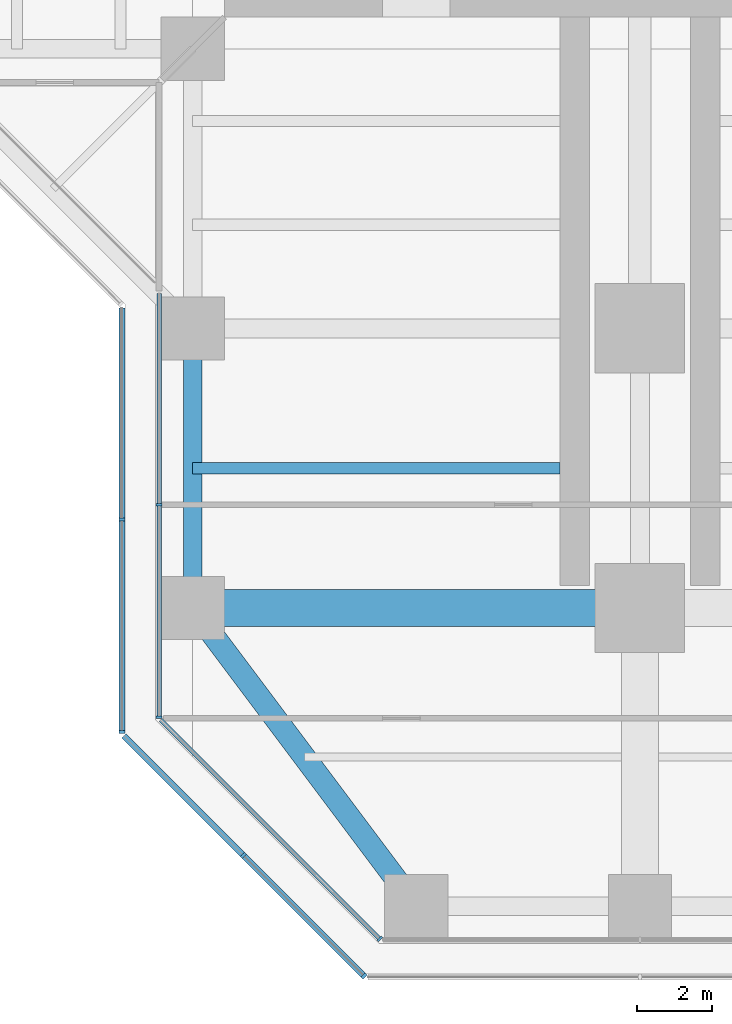
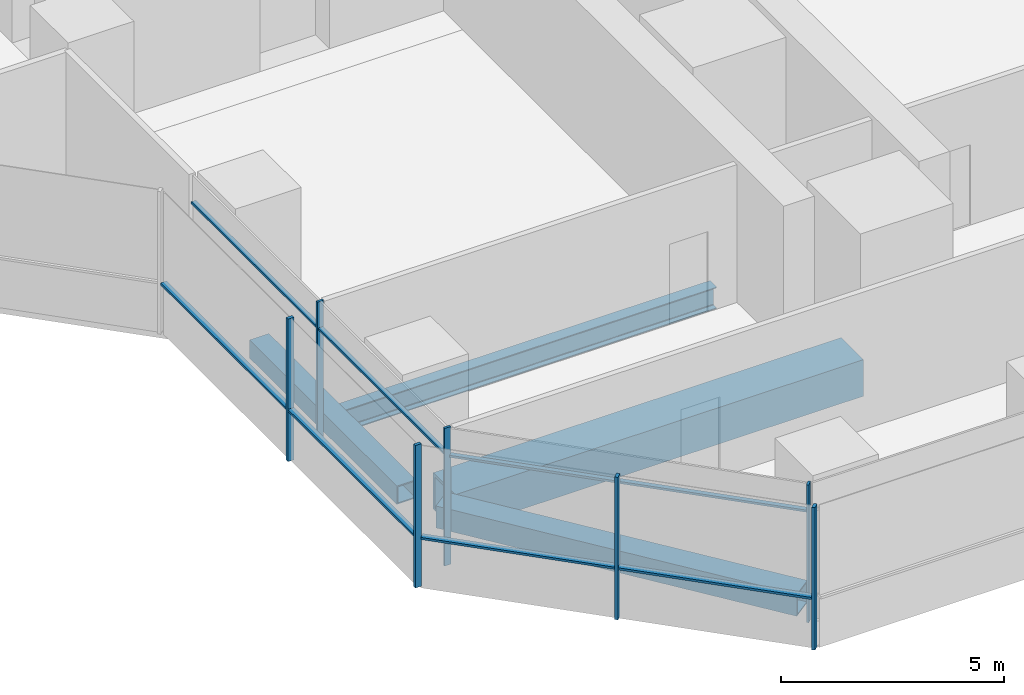
# One storey, part 2 of 22: 14 members, 4 beams, 4 elements without a shape of their own.
"""IFC4 building model written with IfcOpenShell, lengths in metres."""

from ifc_helpers import new_model, si_unit, direction, frame, origin, origin_2d, place, context, subcontext, project, spatial, rectangle, hollow_rectangle, i_section, extrude, material, material_profile, profile_set, type_object, element, aggregate, save


model = new_model("IFC4")

# Units and contexts
model_context = context("Model", 3, precision=1e-05, world=origin(), true_north=direction((0.0, 1.0)))
body_context = subcontext(model_context, "Body", "Model", "MODEL_VIEW")
ifc_project = project(units=[si_unit("LENGTHUNIT", "METRE"), si_unit("AREAUNIT", "SQUARE_METRE"), si_unit("VOLUMEUNIT", "CUBIC_METRE"), si_unit("PLANEANGLEUNIT", "RADIAN"), si_unit("MASSUNIT", "GRAM", prefix="KILO")], contexts=[model_context])

# Site, building, storey
site_placement = place(None, origin())
site = spatial("IfcSite", under=ifc_project, at=site_placement, CompositionType="ELEMENT")
building_placement = place(site_placement, origin())
building = spatial("IfcBuilding", under=site, at=building_placement, Name="Mizan Broadcast Tower", CompositionType="ELEMENT")
storey_placement = place(building_placement, frame((0.0, 0.0, 63.0)))
storey = spatial("IfcBuildingStorey", under=building, at=storey_placement, Name="L12", CompositionType="ELEMENT", Elevation=63.0)

# Beams
ifc_material_1 = material(Name="Steel S355", Category="steel")
ifc_material_profile_1 = material_profile(ifc_material_1, hollow_rectangle(XDim=0.5, YDim=0.5, WallThickness=0.030029296875, at=origin_2d()), Name="BOX 500x500x30")
ifc_profile_set_1 = profile_set([ifc_material_profile_1], Name="Steel S355")
beam_type_1 = type_object("IfcBeamType", Name="EDGE BEAM BOX 500x500x30", PredefinedType="SPANDREL", material=ifc_profile_set_1)
beam_1_placement = place(storey_placement, frame((-12.0, -19.949951171875, -0.3798828125), z_axis=(0.0, -1.0, 0.0), x_axis=(1.0, 0.0, 0.0)))
element("IfcBeam", 1, at=beam_1_placement, inside=storey, type_object=beam_type_1, Name="Edge beam BOX 500x500x30 L12 south arm", PredefinedType="SPANDREL", context=body_context, shape_type="SweptSolid", body=[
    extrude(hollow_rectangle(XDim=0.5, YDim=0.5, WallThickness=0.030029296875, at=origin_2d()), origin(), (0.0, 0.0, 1.0), 6.60009765625),
])
ifc_material_2 = material(Name="Steel S355", Category="steel")
ifc_material_profile_2 = material_profile(ifc_material_2, hollow_rectangle(XDim=0.60009765625, YDim=0.60009765625, WallThickness=0.030029296875, at=origin_2d()), Name="BOX 600x600x30")
ifc_profile_set_2 = profile_set([ifc_material_profile_2], Name="Steel S355")
beam_type_2 = type_object("IfcBeamType", Name="EDGE BEAM BOX 600x600x30", PredefinedType="SPANDREL", material=ifc_profile_set_2)
beam_2_placement = place(storey_placement, frame((-11.639892578125, -27.47998046875, -0.429931640625), z_axis=(0.599982243973, -0.800013316712, 0.0), x_axis=(0.800013316712, 0.599982243973, 0.0)))
element("IfcBeam", 2, at=beam_2_placement, inside=storey, type_object=beam_type_2, Name="Edge beam BOX 600x600x30 L12 south arm", PredefinedType="SPANDREL", context=body_context, shape_type="SweptSolid", body=[
    extrude(hollow_rectangle(XDim=0.60009765625, YDim=0.60009765625, WallThickness=0.030029296875, at=origin_2d()), origin(), (0.0, 0.0, 1.0), 8.7998046875),
])
ifc_material_3 = material(Name="Steel S460", Category="steel")
ifc_material_profile_3 = material_profile(ifc_material_3, hollow_rectangle(XDim=1.0, YDim=1.0, WallThickness=0.080078125, at=origin_2d()), Name="BOX 1000x1000x80")
ifc_profile_set_3 = profile_set([ifc_material_profile_3], Name="Steel S460")
beam_type_3 = type_object("IfcBeamType", Name="GIRDER BOX 1000x1000x80", PredefinedType="BEAM", material=ifc_profile_set_3)
beam_3_placement = place(storey_placement, frame((-11.280029296875, -27.0, -0.6298828125), z_axis=(1.0, 0.0, 0.0), x_axis=(0.0, 1.0, 0.0)))
element("IfcBeam", 3, at=beam_3_placement, inside=storey, type_object=beam_type_3, Name="Girder BOX 1000x1000x80 L12 south arm", PredefinedType="BEAM", context=body_context, shape_type="SweptSolid", body=[
    extrude(hollow_rectangle(XDim=1.0, YDim=1.0, WallThickness=0.080078125, at=origin_2d()), origin(), (0.0, 0.0, 1.0), 10.56005859375),
])

# Curtain wall, members
ifc_material_4 = material(Name="Aluminium framed glazing", Category="aluminium")
curtain_wall_type_1 = type_object("IfcCurtainWallType", Name="INNER SKIN LOW ZONE", PredefinedType="USERDEFINED", material=ifc_material_4)
curtain_wall_1_placement = place(storey_placement, origin())
curtain_wall_1 = element("IfcCurtainWall", 4, at=curtain_wall_1_placement, inside=storey, type_object=curtain_wall_type_1, Name="Inner skin low zone L12 S side", ObjectType="INNER SKIN LOW ZONE", PredefinedType="USERDEFINED")
ifc_material_5 = material(Name="Aluminium, pale anodised", Category="aluminium")
ifc_material_profile_4 = material_profile(ifc_material_5, rectangle(XDim=0.159912109375, YDim=0.06005859375, at=origin_2d()), Name="MULLION 160x60")
ifc_profile_set_4 = profile_set([ifc_material_profile_4], Name="Aluminium, pale anodised")
member_type_1 = type_object("IfcMemberType", Name="INNER SKIN MULLION 60x160", PredefinedType="MULLION", material=ifc_profile_set_4)
member_1_placement = place(storey_placement, frame((-12.89990234375, -24.229248046875, 0.0), z_axis=(0.0, 0.0, 1.0), x_axis=(1.0, 0.0, 0.0)))
member_1 = element("IfcMember", 5, at=member_1_placement, type_object=member_type_1, Name="Inner skin low zone L12 S side mullion 2", PredefinedType="MULLION", context=body_context, shape_type="SweptSolid", body=[
    extrude(rectangle(XDim=0.159912109375, YDim=0.06005859375, at=origin_2d()), origin(), (0.0, 0.0, 1.0), 3.77001953125),
])
member_2_placement = place(storey_placement, frame((-12.89990234375, -29.928466796875, 0.0), z_axis=(0.0, 0.0, 1.0), x_axis=(1.0, 0.0, 0.0)))
member_2 = element("IfcMember", 6, at=member_2_placement, type_object=member_type_1, Name="Inner skin low zone L12 S side mullion 3", PredefinedType="MULLION", context=body_context, shape_type="SweptSolid", body=[
    extrude(rectangle(XDim=0.159912109375, YDim=0.06005859375, at=origin_2d()), origin(), (0.0, 0.0, 1.0), 3.77001953125),
])

# Curtain wall, member
curtain_wall_2_placement = place(storey_placement, origin())
curtain_wall_2 = element("IfcCurtainWall", 7, at=curtain_wall_2_placement, inside=storey, type_object=curtain_wall_type_1, Name="Inner skin low zone L12 S chamfer", ObjectType="INNER SKIN LOW ZONE", PredefinedType="USERDEFINED")
member_3_placement = place(storey_placement, frame((-6.979736328125, -35.87890625, 0.0), z_axis=(0.0, 0.0, 1.0), x_axis=(0.707106781187, 0.707106781187, 0.0)))
member_3 = element("IfcMember", 8, at=member_3_placement, type_object=member_type_1, Name="Inner skin low zone L12 S chamfer mullion 2", PredefinedType="MULLION", context=body_context, shape_type="SweptSolid", body=[
    extrude(rectangle(XDim=0.159912109375, YDim=0.06005859375, at=origin_2d()), origin(), (0.0, 0.0, 1.0), 3.77001953125),
])

# Member
ifc_material_6 = material(Name="Aluminium, pale anodised", Category="aluminium")
ifc_material_profile_5 = material_profile(ifc_material_6, rectangle(XDim=0.1201171875, YDim=0.06005859375, at=origin_2d()), Name="TRANSOM 120x60")
ifc_profile_set_5 = profile_set([ifc_material_profile_5], Name="Aluminium, pale anodised")
member_type_2 = type_object("IfcMemberType", Name="INNER SKIN TRANSOM 60x120", PredefinedType="USERDEFINED", material=ifc_profile_set_5)
member_4_placement = place(storey_placement, frame((-12.89990234375, -18.56005859375, 3.030029296875), z_axis=(0.0, -1.0, 0.0), x_axis=(1.0, 0.0, 0.0)))
member_4 = element("IfcMember", 9, at=member_4_placement, type_object=member_type_2, Name="Inner skin low zone L12 S side transom 1.1", ObjectType="TRANSOM", PredefinedType="USERDEFINED", context=body_context, shape_type="SweptSolid", body=[
    extrude(rectangle(XDim=0.1201171875, YDim=0.06005859375, at=origin_2d()), origin(), (0.0, 0.0, 1.0), 5.63916015625),
])

member_5_placement = place(storey_placement, frame((-12.89990234375, -24.25927734375, 3.030029296875), z_axis=(0.0, -1.0, 0.0), x_axis=(1.0, 0.0, 0.0)))
member_5 = element("IfcMember", 10, at=member_5_placement, type_object=member_type_2, Name="Inner skin low zone L12 S side transom 2.1", ObjectType="TRANSOM", PredefinedType="USERDEFINED", context=body_context, shape_type="SweptSolid", body=[
    extrude(rectangle(XDim=0.1201171875, YDim=0.06005859375, at=origin_2d()), origin(), (0.0, 0.0, 1.0), 5.639404296875),
])

aggregate(curtain_wall_1, [member_1, member_2, member_4, member_5])

member_6_placement = place(storey_placement, frame((-12.857666015625, -30.0009765625, 3.030029296875), z_axis=(0.707106781187, -0.707106781187, 0.0), x_axis=(0.707106781187, 0.707106781187, 0.0)))
member_6 = element("IfcMember", 11, at=member_6_placement, type_object=member_type_2, Name="Inner skin low zone L12 S chamfer transom 1.1", ObjectType="TRANSOM", PredefinedType="USERDEFINED", context=body_context, shape_type="SweptSolid", body=[
    extrude(rectangle(XDim=0.1201171875, YDim=0.06005859375, at=origin_2d()), origin(), (0.0, 0.0, 1.0), 8.28271484375),
])

aggregate(curtain_wall_2, [member_3, member_6])

# Curtain wall, members
ifc_material_7 = material(Name="Aluminium framed glazing", Category="aluminium")
curtain_wall_type_2 = type_object("IfcCurtainWallType", Name="OUTER SKIN", PredefinedType="USERDEFINED", material=ifc_material_7)
curtain_wall_3_placement = place(storey_placement, origin())
curtain_wall_3 = element("IfcCurtainWall", 12, at=curtain_wall_3_placement, inside=storey, type_object=curtain_wall_type_2, Name="Outer skin L12 S side", ObjectType="OUTER SKIN", PredefinedType="USERDEFINED")
ifc_material_8 = material(Name="Aluminium, pale anodised", Category="aluminium")
ifc_material_profile_6 = material_profile(ifc_material_8, rectangle(XDim=0.159912109375, YDim=0.080078125, at=origin_2d()), Name="MULLION 160x80")
ifc_profile_set_6 = profile_set([ifc_material_profile_6], Name="Aluminium, pale anodised")
member_type_3 = type_object("IfcMemberType", Name="OUTER SKIN MULLION 80x160", PredefinedType="MULLION", material=ifc_profile_set_6)
member_7_placement = place(storey_placement, frame((-13.89990234375, -24.622802734375, 0.0), z_axis=(0.0, 0.0, 1.0), x_axis=(1.0, 0.0, 0.0)))
member_7 = element("IfcMember", 13, at=member_7_placement, type_object=member_type_3, Name="Outer skin L12 S side mullion 2", PredefinedType="MULLION", context=body_context, shape_type="SweptSolid", body=[
    extrude(rectangle(XDim=0.159912109375, YDim=0.080078125, at=origin_2d()), origin(), (0.0, 0.0, 1.0), 3.89990234375),
])
member_8_placement = place(storey_placement, frame((-13.89990234375, -30.332763671875, 0.0), z_axis=(0.0, 0.0, 1.0), x_axis=(1.0, 0.0, 0.0)))
member_8 = element("IfcMember", 14, at=member_8_placement, type_object=member_type_3, Name="Outer skin L12 S side mullion 3", PredefinedType="MULLION", context=body_context, shape_type="SweptSolid", body=[
    extrude(rectangle(XDim=0.159912109375, YDim=0.080078125, at=origin_2d()), origin(), (0.0, 0.0, 1.0), 3.89990234375),
])

curtain_wall_4_placement = place(storey_placement, origin())
curtain_wall_4 = element("IfcCurtainWall", 15, at=curtain_wall_4_placement, inside=storey, type_object=curtain_wall_type_2, Name="Outer skin L12 S chamfer", ObjectType="OUTER SKIN", PredefinedType="USERDEFINED")
member_9_placement = place(storey_placement, frame((-10.636474609375, -33.636474609375, 0.0), z_axis=(0.0, 0.0, 1.0), x_axis=(0.707106781187, 0.707106781187, 0.0)))
member_9 = element("IfcMember", 16, at=member_9_placement, type_object=member_type_3, Name="Outer skin L12 S chamfer mullion 2", PredefinedType="MULLION", context=body_context, shape_type="SweptSolid", body=[
    extrude(rectangle(XDim=0.159912109375, YDim=0.080078125, at=origin_2d()), origin(), (0.0, 0.0, 1.0), 3.89990234375),
])
member_10_placement = place(storey_placement, frame((-7.401123046875, -36.871826171875, 0.0), z_axis=(0.0, 0.0, 1.0), x_axis=(0.707106781187, 0.707106781187, 0.0)))
member_10 = element("IfcMember", 17, at=member_10_placement, type_object=member_type_3, Name="Outer skin L12 S chamfer mullion 3", PredefinedType="MULLION", context=body_context, shape_type="SweptSolid", body=[
    extrude(rectangle(XDim=0.159912109375, YDim=0.080078125, at=origin_2d()), origin(), (0.0, 0.0, 1.0), 3.89990234375),
])

# Member
ifc_material_9 = material(Name="Aluminium, pale anodised", Category="aluminium")
ifc_material_profile_7 = material_profile(ifc_material_9, rectangle(XDim=0.159912109375, YDim=0.06005859375, at=origin_2d()), Name="TRANSOM 160x60")
ifc_profile_set_7 = profile_set([ifc_material_profile_7], Name="Aluminium, pale anodised")
member_type_4 = type_object("IfcMemberType", Name="OUTER SKIN TRANSOM 60x160", PredefinedType="USERDEFINED", material=ifc_profile_set_7)
member_11_placement = place(storey_placement, frame((-13.89990234375, -18.952880859375, 1.39990234375), z_axis=(0.0, -1.0, 0.0), x_axis=(1.0, 0.0, 0.0)))
member_11 = element("IfcMember", 18, at=member_11_placement, type_object=member_type_4, Name="Outer skin L12 S side transom 1.1", ObjectType="TRANSOM", PredefinedType="USERDEFINED", context=body_context, shape_type="SweptSolid", body=[
    extrude(rectangle(XDim=0.159912109375, YDim=0.06005859375, at=origin_2d()), origin(), (0.0, 0.0, 1.0), 5.6298828125),
])

member_12_placement = place(storey_placement, frame((-13.89990234375, -24.662841796875, 1.39990234375), z_axis=(0.0, -1.0, 0.0), x_axis=(1.0, 0.0, 0.0)))
member_12 = element("IfcMember", 19, at=member_12_placement, type_object=member_type_4, Name="Outer skin L12 S side transom 2.1", ObjectType="TRANSOM", PredefinedType="USERDEFINED", context=body_context, shape_type="SweptSolid", body=[
    extrude(rectangle(XDim=0.159912109375, YDim=0.06005859375, at=origin_2d()), origin(), (0.0, 0.0, 1.0), 5.6298828125),
])

aggregate(curtain_wall_3, [member_7, member_8, member_11, member_12])

member_13_placement = place(storey_placement, frame((-13.843505859375, -30.429443359375, 1.39990234375), z_axis=(0.707106781187, -0.707106781187, 0.0), x_axis=(0.707106781187, 0.707106781187, 0.0)))
member_13 = element("IfcMember", 20, at=member_13_placement, type_object=member_type_4, Name="Outer skin L12 S chamfer transom 1.1", ObjectType="TRANSOM", PredefinedType="USERDEFINED", context=body_context, shape_type="SweptSolid", body=[
    extrude(rectangle(XDim=0.159912109375, YDim=0.06005859375, at=origin_2d()), origin(), (0.0, 0.0, 1.0), 4.495361328125),
])

member_14_placement = place(storey_placement, frame((-10.608154296875, -33.664794921875, 1.39990234375), z_axis=(0.707106781187, -0.707106781187, 0.0), x_axis=(0.707106781187, 0.707106781187, 0.0)))
member_14 = element("IfcMember", 21, at=member_14_placement, type_object=member_type_4, Name="Outer skin L12 S chamfer transom 2.1", ObjectType="TRANSOM", PredefinedType="USERDEFINED", context=body_context, shape_type="SweptSolid", body=[
    extrude(rectangle(XDim=0.159912109375, YDim=0.06005859375, at=origin_2d()), origin(), (0.0, 0.0, 1.0), 4.495361328125),
])

aggregate(curtain_wall_4, [member_9, member_10, member_13, member_14])

# Beam
ifc_material_10 = material(Name="Steel S355", Category="steel")
ifc_material_profile_8 = material_profile(ifc_material_10, i_section(OverallWidth=0.300048828125, OverallDepth=0.590087890625, WebThickness=0.012939453125, FlangeThickness=0.02490234375, FilletRadius=0.027099609375, at=origin_2d()), Name="HEA 600")
ifc_profile_set_8 = profile_set([ifc_material_profile_8], Name="Steel S355")
beam_type_4 = type_object("IfcBeamType", Name="SECONDARY BEAM HEA 600", PredefinedType="JOIST", material=ifc_profile_set_8)
beam_4_placement = place(storey_placement, frame((-12.0, -23.25, -0.425048828125), z_axis=(1.0, 0.0, 0.0), x_axis=(0.0, 1.0, 0.0)))
element("IfcBeam", 22, at=beam_4_placement, inside=storey, type_object=beam_type_4, Name="Secondary beam HEA 600 L12 south arm", PredefinedType="JOIST", context=body_context, shape_type="SweptSolid", body=[
    extrude(i_section(OverallWidth=0.300048828125, OverallDepth=0.590087890625, WebThickness=0.012939453125, FlangeThickness=0.02490234375, FilletRadius=0.027099609375, at=origin_2d()), origin(), (0.0, 0.0, 1.0), 9.85009765625),
])

save(model, "model.ifc")
